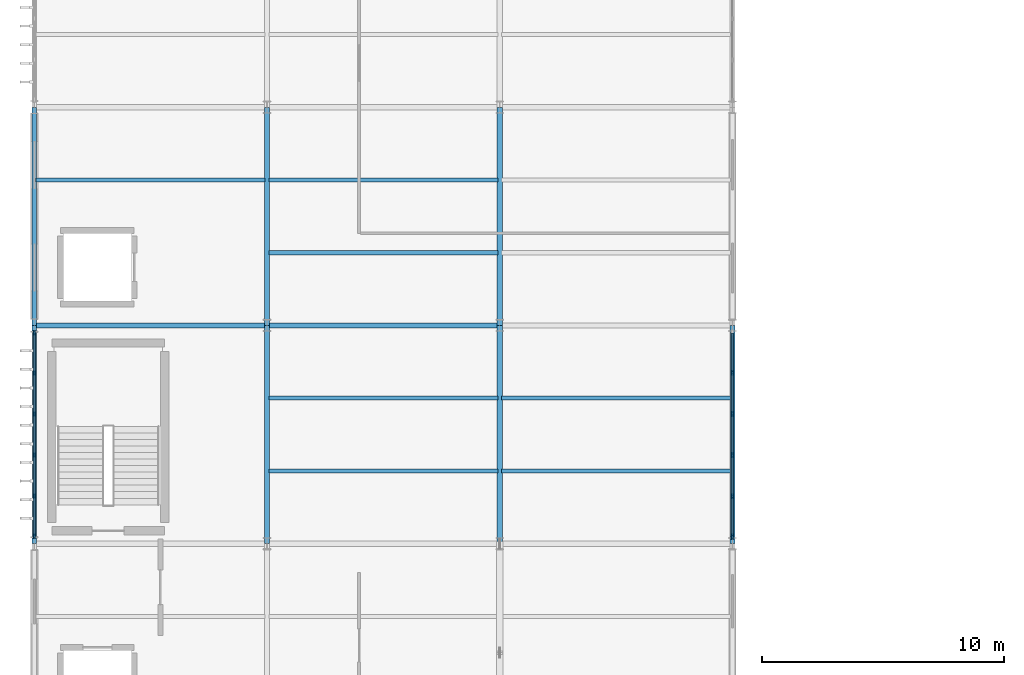
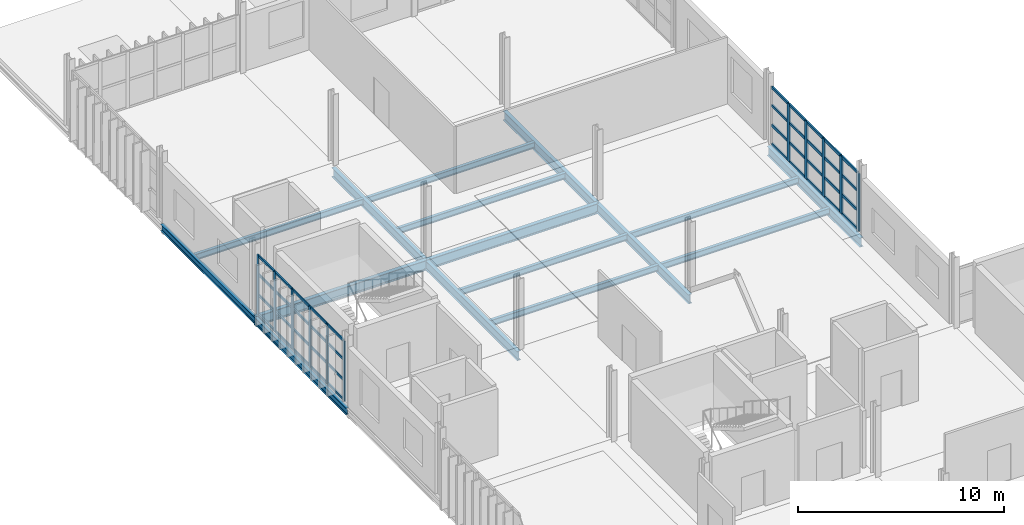
# One storey, part 11 of 52: 51 members, 16 beams, 2 elements without a shape of their own.
"""IFC4 building model written with IfcOpenShell, lengths in metres."""

from ifc_helpers import new_model, si_unit, direction, frame, origin, origin_2d, place, context, subcontext, project, spatial, rectangle, i_section, extrude, material, layer, layer_set, material_profile, profile_set, type_object, element, aggregate, save


model = new_model("IFC4")

# Units and contexts
model_context = context("Model", 3, precision=1e-05, world=origin(), true_north=direction((0.0, 1.0)))
body_context = subcontext(model_context, "Body", "Model", "MODEL_VIEW")
ifc_project = project(units=[si_unit("LENGTHUNIT", "METRE"), si_unit("AREAUNIT", "SQUARE_METRE"), si_unit("VOLUMEUNIT", "CUBIC_METRE"), si_unit("PLANEANGLEUNIT", "RADIAN"), si_unit("MASSUNIT", "GRAM", prefix="KILO")], contexts=[model_context])

# Site, building, storey
site_placement = place(None, origin())
site = spatial("IfcSite", under=ifc_project, at=site_placement, CompositionType="ELEMENT")
building_placement = place(site_placement, origin())
building = spatial("IfcBuilding", under=site, at=building_placement, Name="Zarnetskaya Central Station", CompositionType="ELEMENT")
storey_placement = place(building_placement, frame((0.0, 0.0, 14.39990234375)))
storey = spatial("IfcBuildingStorey", under=building, at=storey_placement, Name="L03", CompositionType="ELEMENT", Elevation=14.39990234375)

# Beams
ifc_material_1 = material(Name="Steel S355", Category="steel")
ifc_material_profile_1 = material_profile(ifc_material_1, i_section(OverallWidth=0.169921875, OverallDepth=0.360107421875, WebThickness=0.008056640625, FlangeThickness=0.0126953125, FilletRadius=0.01806640625, at=origin_2d()), Name="IPE 360")
ifc_profile_set_1 = profile_set([ifc_material_profile_1], Name="Steel S355")
beam_type_1 = type_object("IfcBeamType", Name="BM-SEC-360", PredefinedType="BEAM", material=ifc_profile_set_1)
beam_1_placement = place(storey_placement, frame((0.080078125, 46.199951171875, -0.429931640625), z_axis=(1.0, 0.0, 0.0), x_axis=(0.0, 1.0, 0.0)))
element("IfcBeam", 1, at=beam_1_placement, inside=storey, type_object=beam_type_1, Name="Secondary floor beam SEC-L03-Z1415-AB-67-2", PredefinedType="BEAM", context=body_context, shape_type="SweptSolid", body=[
    extrude(i_section(OverallWidth=0.169921875, OverallDepth=0.360107421875, WebThickness=0.008056640625, FlangeThickness=0.0126953125, FilletRadius=0.01806640625, at=origin_2d()), origin(), (0.0, 0.0, 1.0), 9.43994140625),
])
for number, where, z_axis, x_axis, name in (
    (2, (9.679931640625, 34.199951171875, -0.429931640625), (1.0, 0.0, 0.0), (0.0, 1.0, 0.0), "Secondary floor beam SEC-L03-Z1415-BC-56-1"),
    (3, (9.679931640625, 37.199951171875, -0.429931640625), (1.0, 0.0, 0.0), (0.0, 1.0, 0.0), "Secondary floor beam SEC-L03-Z1415-BC-56-2"),
    (4, (9.679931640625, 43.199951171875, -0.429931640625), (1.0, 0.0, 0.0), (0.0, 1.0, 0.0), "Secondary floor beam SEC-L03-Z1415-BC-67-1"),
    (5, (9.679931640625, 46.199951171875, -0.429931640625), (1.0, 0.0, 0.0), (0.0, 1.0, 0.0), "Secondary floor beam SEC-L03-Z1415-BC-67-2"),
):
    element("IfcBeam", number, at=place(storey_placement, frame(where, z_axis=z_axis, x_axis=x_axis)), inside=storey, type_object=beam_type_1, Name=name, PredefinedType="BEAM", context=body_context, shape_type="SweptSolid", body=[
        extrude(i_section(OverallWidth=0.169921875, OverallDepth=0.360107421875, WebThickness=0.008056640625, FlangeThickness=0.0126953125, FilletRadius=0.01806640625, at=origin_2d()), origin(), (0.0, 0.0, 1.0), 9.440185546875),
    ])
for number, where, z_axis, x_axis, name in (
    (6, (19.280029296875, 34.199951171875, -0.429931640625), (1.0, 0.0, 0.0), (0.0, 1.0, 0.0), "Secondary floor beam SEC-L03-Z1415-CD-56-1"),
    (7, (19.280029296875, 37.199951171875, -0.429931640625), (1.0, 0.0, 0.0), (0.0, 1.0, 0.0), "Secondary floor beam SEC-L03-Z1415-CD-56-2"),
):
    element("IfcBeam", number, at=place(storey_placement, frame(where, z_axis=z_axis, x_axis=x_axis)), inside=storey, type_object=beam_type_1, Name=name, PredefinedType="BEAM", context=body_context, shape_type="SweptSolid", body=[
        extrude(i_section(OverallWidth=0.169921875, OverallDepth=0.360107421875, WebThickness=0.008056640625, FlangeThickness=0.0126953125, FilletRadius=0.01806640625, at=origin_2d()), origin(), (0.0, 0.0, 1.0), 9.43994140625),
    ])
ifc_material_profile_2 = material_profile(ifc_material_1, i_section(OverallWidth=0.179931640625, OverallDepth=0.39990234375, WebThickness=0.008544921875, FlangeThickness=0.013427734375, FilletRadius=0.02099609375, at=origin_2d()), Name="IPE 400")
ifc_profile_set_2 = profile_set([ifc_material_profile_2], Name="Steel S355")
beam_type_2 = type_object("IfcBeamType", Name="BM-SPN-V5", PredefinedType="SPANDREL", material=ifc_profile_set_2)
for number, where, z_axis, x_axis, name in (
    (8, (0.0, 31.199951171875, -0.449951171875), (0.0, 1.0, 0.0), (-1.0, 0.0, 0.0), "Grid girder GY-L03-A-56"),
    (9, (0.0, 40.199951171875, -0.449951171875), (0.0, 1.0, 0.0), (-1.0, 0.0, 0.0), "Grid girder GY-L03-A-67"),
):
    element("IfcBeam", number, at=place(storey_placement, frame(where, z_axis=z_axis, x_axis=x_axis)), inside=storey, type_object=beam_type_2, Name=name, PredefinedType="SPANDREL", context=body_context, shape_type="SweptSolid", body=[
        extrude(i_section(OverallWidth=0.179931640625, OverallDepth=0.39990234375, WebThickness=0.008544921875, FlangeThickness=0.013427734375, FilletRadius=0.02099609375, at=origin_2d()), origin(), (0.0, 0.0, 1.0), 9.0),
    ])

# Curtain wall, members
ifc_material_2 = material(Name="Low-E insulated glass", Category="glass")
ifc_layer_1 = layer(ifc_material_2, 0.172119140625, Name="Low-E insulated glass", Category="glass")
ifc_layer_set_1 = layer_set([ifc_layer_1], Name="Low-E insulated glass")
curtain_wall_type_1 = type_object("IfcCurtainWallType", Name="CW-SYS-09", PredefinedType="USERDEFINED", material=ifc_layer_set_1)
curtain_wall_1_placement = place(storey_placement, origin())
curtain_wall_1 = element("IfcCurtainWall", 10, at=curtain_wall_1_placement, inside=storey, type_object=curtain_wall_type_1, Name="Curtain wall CW-L03-033", ObjectType="CURTAIN WALL", PredefinedType="USERDEFINED")
ifc_material_3 = material(Name="Anodised aluminium", Category="aluminium")
ifc_material_profile_3 = material_profile(ifc_material_3, rectangle(XDim=0.070068359375, YDim=0.179931640625, at=origin_2d()), Name="ALU MULL 70x180")
ifc_profile_set_3 = profile_set([ifc_material_profile_3], Name="Anodised aluminium")
member_type_1 = type_object("IfcMemberType", Name="CW-MULL-180", PredefinedType="MULLION", material=ifc_profile_set_3)
member_1_placement = place(storey_placement, frame((0.0, 31.510009765625, 0.0), z_axis=(0.0, 0.0, 1.0), x_axis=(-1.0, 0.0, 0.0)))
member_1 = element("IfcMember", 11, at=member_1_placement, type_object=member_type_1, Name="CW-07 mullion 1", PredefinedType="MULLION", context=body_context, shape_type="SweptSolid", body=[
    extrude(rectangle(XDim=0.070068359375, YDim=0.179931640625, at=origin_2d()), origin(), (0.0, 0.0, 1.0), 3.56005859375),
])
member_2_placement = place(storey_placement, frame((0.0, 33.1650390625, 0.0), z_axis=(0.0, 0.0, 1.0), x_axis=(-1.0, 0.0, 0.0)))
member_2 = element("IfcMember", 12, at=member_2_placement, type_object=member_type_1, Name="CW-07 mullion 2", PredefinedType="MULLION", context=body_context, shape_type="SweptSolid", body=[
    extrude(rectangle(XDim=0.070068359375, YDim=0.179931640625, at=origin_2d()), origin(), (0.0, 0.0, 1.0), 3.56005859375),
])
member_3_placement = place(storey_placement, frame((0.0, 34.85498046875, 0.0), z_axis=(0.0, 0.0, 1.0), x_axis=(-1.0, 0.0, 0.0)))
member_3 = element("IfcMember", 13, at=member_3_placement, type_object=member_type_1, Name="CW-07 mullion 3", PredefinedType="MULLION", context=body_context, shape_type="SweptSolid", body=[
    extrude(rectangle(XDim=0.070068359375, YDim=0.179931640625, at=origin_2d()), origin(), (0.0, 0.0, 1.0), 3.56005859375),
])
member_4_placement = place(storey_placement, frame((0.0, 36.544921875, 0.0), z_axis=(0.0, 0.0, 1.0), x_axis=(-1.0, 0.0, 0.0)))
member_4 = element("IfcMember", 14, at=member_4_placement, type_object=member_type_1, Name="CW-07 mullion 4", PredefinedType="MULLION", context=body_context, shape_type="SweptSolid", body=[
    extrude(rectangle(XDim=0.070068359375, YDim=0.179931640625, at=origin_2d()), origin(), (0.0, 0.0, 1.0), 3.56005859375),
])
member_5_placement = place(storey_placement, frame((0.0, 38.235107421875, 0.0), z_axis=(0.0, 0.0, 1.0), x_axis=(-1.0, 0.0, 0.0)))
member_5 = element("IfcMember", 15, at=member_5_placement, type_object=member_type_1, Name="CW-07 mullion 5", PredefinedType="MULLION", context=body_context, shape_type="SweptSolid", body=[
    extrude(rectangle(XDim=0.070068359375, YDim=0.179931640625, at=origin_2d()), origin(), (0.0, 0.0, 1.0), 3.56005859375),
])
member_6_placement = place(storey_placement, frame((0.0, 39.889892578125, 0.0), z_axis=(0.0, 0.0, 1.0), x_axis=(-1.0, 0.0, 0.0)))
member_6 = element("IfcMember", 16, at=member_6_placement, type_object=member_type_1, Name="CW-07 mullion 6", PredefinedType="MULLION", context=body_context, shape_type="SweptSolid", body=[
    extrude(rectangle(XDim=0.070068359375, YDim=0.179931640625, at=origin_2d()), origin(), (0.0, 0.0, 1.0), 3.56005859375),
])

ifc_layer_2 = layer(ifc_material_2, 0.1640625, Name="Low-E insulated glass", Category="glass")
ifc_layer_set_2 = layer_set([ifc_layer_2], Name="Low-E insulated glass")
curtain_wall_type_2 = type_object("IfcCurtainWallType", Name="CW-SYS-07", PredefinedType="USERDEFINED", material=ifc_layer_set_2)
curtain_wall_2_placement = place(storey_placement, origin())
curtain_wall_2 = element("IfcCurtainWall", 17, at=curtain_wall_2_placement, inside=storey, type_object=curtain_wall_type_2, Name="Curtain wall CW-L03-038", ObjectType="CURTAIN WALL", PredefinedType="USERDEFINED")
ifc_material_profile_4 = material_profile(ifc_material_3, rectangle(XDim=0.080078125, YDim=0.219970703125, at=origin_2d()), Name="ALU MULL 80x220")
ifc_profile_set_4 = profile_set([ifc_material_profile_4], Name="Anodised aluminium")
member_type_2 = type_object("IfcMemberType", Name="CW-MULL-220", PredefinedType="MULLION", material=ifc_profile_set_4)
member_7_placement = place(storey_placement, frame((28.800048828125, 38.25, 0.0), z_axis=(0.0, 0.0, 1.0), x_axis=(1.0, 0.0, 0.0)))
member_7 = element("IfcMember", 18, at=member_7_placement, type_object=member_type_2, Name="CW-06 mullion 2", PredefinedType="MULLION", context=body_context, shape_type="SweptSolid", body=[
    extrude(rectangle(XDim=0.080078125, YDim=0.219970703125, at=origin_2d()), origin(), (0.0, 0.0, 1.0), 3.43017578125),
])
member_8_placement = place(storey_placement, frame((28.800048828125, 36.550048828125, 0.0), z_axis=(0.0, 0.0, 1.0), x_axis=(1.0, 0.0, 0.0)))
member_8 = element("IfcMember", 19, at=member_8_placement, type_object=member_type_2, Name="CW-06 mullion 3", PredefinedType="MULLION", context=body_context, shape_type="SweptSolid", body=[
    extrude(rectangle(XDim=0.080078125, YDim=0.219970703125, at=origin_2d()), origin(), (0.0, 0.0, 1.0), 3.43017578125),
])
member_9_placement = place(storey_placement, frame((28.800048828125, 34.85009765625, 0.0), z_axis=(0.0, 0.0, 1.0), x_axis=(1.0, 0.0, 0.0)))
member_9 = element("IfcMember", 20, at=member_9_placement, type_object=member_type_2, Name="CW-06 mullion 4", PredefinedType="MULLION", context=body_context, shape_type="SweptSolid", body=[
    extrude(rectangle(XDim=0.080078125, YDim=0.219970703125, at=origin_2d()), origin(), (0.0, 0.0, 1.0), 3.43017578125),
])
member_10_placement = place(storey_placement, frame((28.800048828125, 33.14990234375, 0.0), z_axis=(0.0, 0.0, 1.0), x_axis=(1.0, 0.0, 0.0)))
member_10 = element("IfcMember", 21, at=member_10_placement, type_object=member_type_2, Name="CW-06 mullion 5", PredefinedType="MULLION", context=body_context, shape_type="SweptSolid", body=[
    extrude(rectangle(XDim=0.080078125, YDim=0.219970703125, at=origin_2d()), origin(), (0.0, 0.0, 1.0), 3.43017578125),
])
member_11_placement = place(storey_placement, frame((28.800048828125, 31.489990234375, 0.0), z_axis=(0.0, 0.0, 1.0), x_axis=(1.0, 0.0, 0.0)))
member_11 = element("IfcMember", 22, at=member_11_placement, type_object=member_type_2, Name="CW-06 mullion 6", PredefinedType="MULLION", context=body_context, shape_type="SweptSolid", body=[
    extrude(rectangle(XDim=0.080078125, YDim=0.219970703125, at=origin_2d()), origin(), (0.0, 0.0, 1.0), 3.43017578125),
])

# Member
ifc_material_profile_5 = material_profile(ifc_material_3, rectangle(XDim=0.070068359375, YDim=0.139892578125, at=origin_2d()), Name="ALU TRAN 70x140")
ifc_profile_set_5 = profile_set([ifc_material_profile_5], Name="Anodised aluminium")
member_type_3 = type_object("IfcMemberType", Name="CW-TRAN-140", PredefinedType="USERDEFINED", material=ifc_profile_set_5)
member_12_placement = place(storey_placement, frame((0.0, 31.544921875, 0.03515625), z_axis=(0.0, 1.0, 0.0), x_axis=(-1.0, 0.0, 0.0)))
member_12 = element("IfcMember", 23, at=member_12_placement, type_object=member_type_3, Name="CW-07 transom 1.1", ObjectType="TRANSOM", PredefinedType="USERDEFINED", context=body_context, shape_type="SweptSolid", body=[
    extrude(rectangle(XDim=0.070068359375, YDim=0.139892578125, at=origin_2d()), origin(), (0.0, 0.0, 1.0), 1.5849609375),
])

member_13_placement = place(storey_placement, frame((0.0, 31.544921875, 1.210205078125), z_axis=(0.0, 1.0, 0.0), x_axis=(-1.0, 0.0, 0.0)))
member_13 = element("IfcMember", 24, at=member_13_placement, type_object=member_type_3, Name="CW-07 transom 1.2", ObjectType="TRANSOM", PredefinedType="USERDEFINED", context=body_context, shape_type="SweptSolid", body=[
    extrude(rectangle(XDim=0.070068359375, YDim=0.139892578125, at=origin_2d()), origin(), (0.0, 0.0, 1.0), 1.5849609375),
])

member_14_placement = place(storey_placement, frame((0.0, 31.544921875, 2.421142578125), z_axis=(0.0, 1.0, 0.0), x_axis=(-1.0, 0.0, 0.0)))
member_14 = element("IfcMember", 25, at=member_14_placement, type_object=member_type_3, Name="CW-07 transom 1.3", ObjectType="TRANSOM", PredefinedType="USERDEFINED", context=body_context, shape_type="SweptSolid", body=[
    extrude(rectangle(XDim=0.070068359375, YDim=0.139892578125, at=origin_2d()), origin(), (0.0, 0.0, 1.0), 1.5849609375),
])

member_15_placement = place(storey_placement, frame((0.0, 31.544921875, 3.525146484375), z_axis=(0.0, 1.0, 0.0), x_axis=(-1.0, 0.0, 0.0)))
member_15 = element("IfcMember", 26, at=member_15_placement, type_object=member_type_3, Name="CW-07 transom 1.4", ObjectType="TRANSOM", PredefinedType="USERDEFINED", context=body_context, shape_type="SweptSolid", body=[
    extrude(rectangle(XDim=0.070068359375, YDim=0.139892578125, at=origin_2d()), origin(), (0.0, 0.0, 1.0), 1.5849609375),
])

member_16_placement = place(storey_placement, frame((0.0, 33.199951171875, 0.03515625), z_axis=(0.0, 1.0, 0.0), x_axis=(-1.0, 0.0, 0.0)))
member_16 = element("IfcMember", 27, at=member_16_placement, type_object=member_type_3, Name="CW-07 transom 2.1", ObjectType="TRANSOM", PredefinedType="USERDEFINED", context=body_context, shape_type="SweptSolid", body=[
    extrude(rectangle(XDim=0.070068359375, YDim=0.139892578125, at=origin_2d()), origin(), (0.0, 0.0, 1.0), 1.6201171875),
])

member_17_placement = place(storey_placement, frame((0.0, 33.199951171875, 1.210205078125), z_axis=(0.0, 1.0, 0.0), x_axis=(-1.0, 0.0, 0.0)))
member_17 = element("IfcMember", 28, at=member_17_placement, type_object=member_type_3, Name="CW-07 transom 2.2", ObjectType="TRANSOM", PredefinedType="USERDEFINED", context=body_context, shape_type="SweptSolid", body=[
    extrude(rectangle(XDim=0.070068359375, YDim=0.139892578125, at=origin_2d()), origin(), (0.0, 0.0, 1.0), 1.6201171875),
])

member_18_placement = place(storey_placement, frame((0.0, 33.199951171875, 2.421142578125), z_axis=(0.0, 1.0, 0.0), x_axis=(-1.0, 0.0, 0.0)))
member_18 = element("IfcMember", 29, at=member_18_placement, type_object=member_type_3, Name="CW-07 transom 2.3", ObjectType="TRANSOM", PredefinedType="USERDEFINED", context=body_context, shape_type="SweptSolid", body=[
    extrude(rectangle(XDim=0.070068359375, YDim=0.139892578125, at=origin_2d()), origin(), (0.0, 0.0, 1.0), 1.6201171875),
])

member_19_placement = place(storey_placement, frame((0.0, 33.199951171875, 3.525146484375), z_axis=(0.0, 1.0, 0.0), x_axis=(-1.0, 0.0, 0.0)))
member_19 = element("IfcMember", 30, at=member_19_placement, type_object=member_type_3, Name="CW-07 transom 2.4", ObjectType="TRANSOM", PredefinedType="USERDEFINED", context=body_context, shape_type="SweptSolid", body=[
    extrude(rectangle(XDim=0.070068359375, YDim=0.139892578125, at=origin_2d()), origin(), (0.0, 0.0, 1.0), 1.6201171875),
])

member_20_placement = place(storey_placement, frame((0.0, 34.889892578125, 0.03515625), z_axis=(0.0, 1.0, 0.0), x_axis=(-1.0, 0.0, 0.0)))
member_20 = element("IfcMember", 31, at=member_20_placement, type_object=member_type_3, Name="CW-07 transom 3.1", ObjectType="TRANSOM", PredefinedType="USERDEFINED", context=body_context, shape_type="SweptSolid", body=[
    extrude(rectangle(XDim=0.070068359375, YDim=0.139892578125, at=origin_2d()), origin(), (0.0, 0.0, 1.0), 1.6201171875),
])

member_21_placement = place(storey_placement, frame((0.0, 34.889892578125, 1.210205078125), z_axis=(0.0, 1.0, 0.0), x_axis=(-1.0, 0.0, 0.0)))
member_21 = element("IfcMember", 32, at=member_21_placement, type_object=member_type_3, Name="CW-07 transom 3.2", ObjectType="TRANSOM", PredefinedType="USERDEFINED", context=body_context, shape_type="SweptSolid", body=[
    extrude(rectangle(XDim=0.070068359375, YDim=0.139892578125, at=origin_2d()), origin(), (0.0, 0.0, 1.0), 1.6201171875),
])

member_22_placement = place(storey_placement, frame((0.0, 34.889892578125, 2.421142578125), z_axis=(0.0, 1.0, 0.0), x_axis=(-1.0, 0.0, 0.0)))
member_22 = element("IfcMember", 33, at=member_22_placement, type_object=member_type_3, Name="CW-07 transom 3.3", ObjectType="TRANSOM", PredefinedType="USERDEFINED", context=body_context, shape_type="SweptSolid", body=[
    extrude(rectangle(XDim=0.070068359375, YDim=0.139892578125, at=origin_2d()), origin(), (0.0, 0.0, 1.0), 1.6201171875),
])

member_23_placement = place(storey_placement, frame((0.0, 34.889892578125, 3.525146484375), z_axis=(0.0, 1.0, 0.0), x_axis=(-1.0, 0.0, 0.0)))
member_23 = element("IfcMember", 34, at=member_23_placement, type_object=member_type_3, Name="CW-07 transom 3.4", ObjectType="TRANSOM", PredefinedType="USERDEFINED", context=body_context, shape_type="SweptSolid", body=[
    extrude(rectangle(XDim=0.070068359375, YDim=0.139892578125, at=origin_2d()), origin(), (0.0, 0.0, 1.0), 1.6201171875),
])

member_24_placement = place(storey_placement, frame((0.0, 36.580078125, 0.03515625), z_axis=(0.0, 1.0, 0.0), x_axis=(-1.0, 0.0, 0.0)))
member_24 = element("IfcMember", 35, at=member_24_placement, type_object=member_type_3, Name="CW-07 transom 4.1", ObjectType="TRANSOM", PredefinedType="USERDEFINED", context=body_context, shape_type="SweptSolid", body=[
    extrude(rectangle(XDim=0.070068359375, YDim=0.139892578125, at=origin_2d()), origin(), (0.0, 0.0, 1.0), 1.619873046875),
])

member_25_placement = place(storey_placement, frame((0.0, 36.580078125, 1.210205078125), z_axis=(0.0, 1.0, 0.0), x_axis=(-1.0, 0.0, 0.0)))
member_25 = element("IfcMember", 36, at=member_25_placement, type_object=member_type_3, Name="CW-07 transom 4.2", ObjectType="TRANSOM", PredefinedType="USERDEFINED", context=body_context, shape_type="SweptSolid", body=[
    extrude(rectangle(XDim=0.070068359375, YDim=0.139892578125, at=origin_2d()), origin(), (0.0, 0.0, 1.0), 1.619873046875),
])

member_26_placement = place(storey_placement, frame((0.0, 36.580078125, 2.421142578125), z_axis=(0.0, 1.0, 0.0), x_axis=(-1.0, 0.0, 0.0)))
member_26 = element("IfcMember", 37, at=member_26_placement, type_object=member_type_3, Name="CW-07 transom 4.3", ObjectType="TRANSOM", PredefinedType="USERDEFINED", context=body_context, shape_type="SweptSolid", body=[
    extrude(rectangle(XDim=0.070068359375, YDim=0.139892578125, at=origin_2d()), origin(), (0.0, 0.0, 1.0), 1.619873046875),
])

member_27_placement = place(storey_placement, frame((0.0, 36.580078125, 3.525146484375), z_axis=(0.0, 1.0, 0.0), x_axis=(-1.0, 0.0, 0.0)))
member_27 = element("IfcMember", 38, at=member_27_placement, type_object=member_type_3, Name="CW-07 transom 4.4", ObjectType="TRANSOM", PredefinedType="USERDEFINED", context=body_context, shape_type="SweptSolid", body=[
    extrude(rectangle(XDim=0.070068359375, YDim=0.139892578125, at=origin_2d()), origin(), (0.0, 0.0, 1.0), 1.619873046875),
])

member_28_placement = place(storey_placement, frame((0.0, 38.27001953125, 0.03515625), z_axis=(0.0, 1.0, 0.0), x_axis=(-1.0, 0.0, 0.0)))
member_28 = element("IfcMember", 39, at=member_28_placement, type_object=member_type_3, Name="CW-07 transom 5.1", ObjectType="TRANSOM", PredefinedType="USERDEFINED", context=body_context, shape_type="SweptSolid", body=[
    extrude(rectangle(XDim=0.070068359375, YDim=0.139892578125, at=origin_2d()), origin(), (0.0, 0.0, 1.0), 1.5849609375),
])

member_29_placement = place(storey_placement, frame((0.0, 38.27001953125, 1.210205078125), z_axis=(0.0, 1.0, 0.0), x_axis=(-1.0, 0.0, 0.0)))
member_29 = element("IfcMember", 40, at=member_29_placement, type_object=member_type_3, Name="CW-07 transom 5.2", ObjectType="TRANSOM", PredefinedType="USERDEFINED", context=body_context, shape_type="SweptSolid", body=[
    extrude(rectangle(XDim=0.070068359375, YDim=0.139892578125, at=origin_2d()), origin(), (0.0, 0.0, 1.0), 1.5849609375),
])

member_30_placement = place(storey_placement, frame((0.0, 38.27001953125, 2.421142578125), z_axis=(0.0, 1.0, 0.0), x_axis=(-1.0, 0.0, 0.0)))
member_30 = element("IfcMember", 41, at=member_30_placement, type_object=member_type_3, Name="CW-07 transom 5.3", ObjectType="TRANSOM", PredefinedType="USERDEFINED", context=body_context, shape_type="SweptSolid", body=[
    extrude(rectangle(XDim=0.070068359375, YDim=0.139892578125, at=origin_2d()), origin(), (0.0, 0.0, 1.0), 1.5849609375),
])

member_31_placement = place(storey_placement, frame((0.0, 38.27001953125, 3.525146484375), z_axis=(0.0, 1.0, 0.0), x_axis=(-1.0, 0.0, 0.0)))
member_31 = element("IfcMember", 42, at=member_31_placement, type_object=member_type_3, Name="CW-07 transom 5.4", ObjectType="TRANSOM", PredefinedType="USERDEFINED", context=body_context, shape_type="SweptSolid", body=[
    extrude(rectangle(XDim=0.070068359375, YDim=0.139892578125, at=origin_2d()), origin(), (0.0, 0.0, 1.0), 1.5849609375),
])

aggregate(curtain_wall_1, [member_1, member_2, member_3, member_4, member_5, member_6, member_12, member_13, member_14, member_15, member_16, member_17, member_18, member_19, member_20, member_21, member_22, member_23, member_24, member_25, member_26, member_27, member_28, member_29, member_30, member_31])

ifc_material_profile_6 = material_profile(ifc_material_3, rectangle(XDim=0.080078125, YDim=0.159912109375, at=origin_2d()), Name="ALU TRAN 80x160")
ifc_profile_set_6 = profile_set([ifc_material_profile_6], Name="Anodised aluminium")
member_type_4 = type_object("IfcMemberType", Name="CW-TRAN-160", PredefinedType="USERDEFINED", material=ifc_profile_set_6)
member_32_placement = place(storey_placement, frame((28.800048828125, 39.8701171875, 0.0400390625), z_axis=(0.0, -1.0, 0.0), x_axis=(1.0, 0.0, 0.0)))
member_32 = element("IfcMember", 43, at=member_32_placement, type_object=member_type_4, Name="CW-06 transom 1.1", ObjectType="TRANSOM", PredefinedType="USERDEFINED", context=body_context, shape_type="SweptSolid", body=[
    extrude(rectangle(XDim=0.080078125, YDim=0.159912109375, at=origin_2d()), origin(), (0.0, 0.0, 1.0), 1.580078125),
])

member_33_placement = place(storey_placement, frame((28.800048828125, 39.8701171875, 1.166015625), z_axis=(0.0, -1.0, 0.0), x_axis=(1.0, 0.0, 0.0)))
member_33 = element("IfcMember", 44, at=member_33_placement, type_object=member_type_4, Name="CW-06 transom 1.2", ObjectType="TRANSOM", PredefinedType="USERDEFINED", context=body_context, shape_type="SweptSolid", body=[
    extrude(rectangle(XDim=0.080078125, YDim=0.159912109375, at=origin_2d()), origin(), (0.0, 0.0, 1.0), 1.580078125),
])

member_34_placement = place(storey_placement, frame((28.800048828125, 39.8701171875, 2.33203125), z_axis=(0.0, -1.0, 0.0), x_axis=(1.0, 0.0, 0.0)))
member_34 = element("IfcMember", 45, at=member_34_placement, type_object=member_type_4, Name="CW-06 transom 1.3", ObjectType="TRANSOM", PredefinedType="USERDEFINED", context=body_context, shape_type="SweptSolid", body=[
    extrude(rectangle(XDim=0.080078125, YDim=0.159912109375, at=origin_2d()), origin(), (0.0, 0.0, 1.0), 1.580078125),
])

member_35_placement = place(storey_placement, frame((28.800048828125, 39.8701171875, 3.39013671875), z_axis=(0.0, -1.0, 0.0), x_axis=(1.0, 0.0, 0.0)))
member_35 = element("IfcMember", 46, at=member_35_placement, type_object=member_type_4, Name="CW-06 transom 1.4", ObjectType="TRANSOM", PredefinedType="USERDEFINED", context=body_context, shape_type="SweptSolid", body=[
    extrude(rectangle(XDim=0.080078125, YDim=0.159912109375, at=origin_2d()), origin(), (0.0, 0.0, 1.0), 1.580078125),
])

member_36_placement = place(storey_placement, frame((28.800048828125, 38.2099609375, 0.0400390625), z_axis=(0.0, -1.0, 0.0), x_axis=(1.0, 0.0, 0.0)))
member_36 = element("IfcMember", 47, at=member_36_placement, type_object=member_type_4, Name="CW-06 transom 2.1", ObjectType="TRANSOM", PredefinedType="USERDEFINED", context=body_context, shape_type="SweptSolid", body=[
    extrude(rectangle(XDim=0.080078125, YDim=0.159912109375, at=origin_2d()), origin(), (0.0, 0.0, 1.0), 1.619873046875),
])

member_37_placement = place(storey_placement, frame((28.800048828125, 38.2099609375, 1.166015625), z_axis=(0.0, -1.0, 0.0), x_axis=(1.0, 0.0, 0.0)))
member_37 = element("IfcMember", 48, at=member_37_placement, type_object=member_type_4, Name="CW-06 transom 2.2", ObjectType="TRANSOM", PredefinedType="USERDEFINED", context=body_context, shape_type="SweptSolid", body=[
    extrude(rectangle(XDim=0.080078125, YDim=0.159912109375, at=origin_2d()), origin(), (0.0, 0.0, 1.0), 1.619873046875),
])

member_38_placement = place(storey_placement, frame((28.800048828125, 38.2099609375, 2.33203125), z_axis=(0.0, -1.0, 0.0), x_axis=(1.0, 0.0, 0.0)))
member_38 = element("IfcMember", 49, at=member_38_placement, type_object=member_type_4, Name="CW-06 transom 2.3", ObjectType="TRANSOM", PredefinedType="USERDEFINED", context=body_context, shape_type="SweptSolid", body=[
    extrude(rectangle(XDim=0.080078125, YDim=0.159912109375, at=origin_2d()), origin(), (0.0, 0.0, 1.0), 1.619873046875),
])

member_39_placement = place(storey_placement, frame((28.800048828125, 38.2099609375, 3.39013671875), z_axis=(0.0, -1.0, 0.0), x_axis=(1.0, 0.0, 0.0)))
member_39 = element("IfcMember", 50, at=member_39_placement, type_object=member_type_4, Name="CW-06 transom 2.4", ObjectType="TRANSOM", PredefinedType="USERDEFINED", context=body_context, shape_type="SweptSolid", body=[
    extrude(rectangle(XDim=0.080078125, YDim=0.159912109375, at=origin_2d()), origin(), (0.0, 0.0, 1.0), 1.619873046875),
])

member_40_placement = place(storey_placement, frame((28.800048828125, 36.510009765625, 0.0400390625), z_axis=(0.0, -1.0, 0.0), x_axis=(1.0, 0.0, 0.0)))
member_40 = element("IfcMember", 51, at=member_40_placement, type_object=member_type_4, Name="CW-06 transom 3.1", ObjectType="TRANSOM", PredefinedType="USERDEFINED", context=body_context, shape_type="SweptSolid", body=[
    extrude(rectangle(XDim=0.080078125, YDim=0.159912109375, at=origin_2d()), origin(), (0.0, 0.0, 1.0), 1.6201171875),
])

member_41_placement = place(storey_placement, frame((28.800048828125, 36.510009765625, 1.166015625), z_axis=(0.0, -1.0, 0.0), x_axis=(1.0, 0.0, 0.0)))
member_41 = element("IfcMember", 52, at=member_41_placement, type_object=member_type_4, Name="CW-06 transom 3.2", ObjectType="TRANSOM", PredefinedType="USERDEFINED", context=body_context, shape_type="SweptSolid", body=[
    extrude(rectangle(XDim=0.080078125, YDim=0.159912109375, at=origin_2d()), origin(), (0.0, 0.0, 1.0), 1.6201171875),
])

member_42_placement = place(storey_placement, frame((28.800048828125, 36.510009765625, 2.33203125), z_axis=(0.0, -1.0, 0.0), x_axis=(1.0, 0.0, 0.0)))
member_42 = element("IfcMember", 53, at=member_42_placement, type_object=member_type_4, Name="CW-06 transom 3.3", ObjectType="TRANSOM", PredefinedType="USERDEFINED", context=body_context, shape_type="SweptSolid", body=[
    extrude(rectangle(XDim=0.080078125, YDim=0.159912109375, at=origin_2d()), origin(), (0.0, 0.0, 1.0), 1.6201171875),
])

member_43_placement = place(storey_placement, frame((28.800048828125, 36.510009765625, 3.39013671875), z_axis=(0.0, -1.0, 0.0), x_axis=(1.0, 0.0, 0.0)))
member_43 = element("IfcMember", 54, at=member_43_placement, type_object=member_type_4, Name="CW-06 transom 3.4", ObjectType="TRANSOM", PredefinedType="USERDEFINED", context=body_context, shape_type="SweptSolid", body=[
    extrude(rectangle(XDim=0.080078125, YDim=0.159912109375, at=origin_2d()), origin(), (0.0, 0.0, 1.0), 1.6201171875),
])

member_44_placement = place(storey_placement, frame((28.800048828125, 34.81005859375, 0.0400390625), z_axis=(0.0, -1.0, 0.0), x_axis=(1.0, 0.0, 0.0)))
member_44 = element("IfcMember", 55, at=member_44_placement, type_object=member_type_4, Name="CW-06 transom 4.1", ObjectType="TRANSOM", PredefinedType="USERDEFINED", context=body_context, shape_type="SweptSolid", body=[
    extrude(rectangle(XDim=0.080078125, YDim=0.159912109375, at=origin_2d()), origin(), (0.0, 0.0, 1.0), 1.6201171875),
])

member_45_placement = place(storey_placement, frame((28.800048828125, 34.81005859375, 1.166015625), z_axis=(0.0, -1.0, 0.0), x_axis=(1.0, 0.0, 0.0)))
member_45 = element("IfcMember", 56, at=member_45_placement, type_object=member_type_4, Name="CW-06 transom 4.2", ObjectType="TRANSOM", PredefinedType="USERDEFINED", context=body_context, shape_type="SweptSolid", body=[
    extrude(rectangle(XDim=0.080078125, YDim=0.159912109375, at=origin_2d()), origin(), (0.0, 0.0, 1.0), 1.6201171875),
])

member_46_placement = place(storey_placement, frame((28.800048828125, 34.81005859375, 2.33203125), z_axis=(0.0, -1.0, 0.0), x_axis=(1.0, 0.0, 0.0)))
member_46 = element("IfcMember", 57, at=member_46_placement, type_object=member_type_4, Name="CW-06 transom 4.3", ObjectType="TRANSOM", PredefinedType="USERDEFINED", context=body_context, shape_type="SweptSolid", body=[
    extrude(rectangle(XDim=0.080078125, YDim=0.159912109375, at=origin_2d()), origin(), (0.0, 0.0, 1.0), 1.6201171875),
])

member_47_placement = place(storey_placement, frame((28.800048828125, 34.81005859375, 3.39013671875), z_axis=(0.0, -1.0, 0.0), x_axis=(1.0, 0.0, 0.0)))
member_47 = element("IfcMember", 58, at=member_47_placement, type_object=member_type_4, Name="CW-06 transom 4.4", ObjectType="TRANSOM", PredefinedType="USERDEFINED", context=body_context, shape_type="SweptSolid", body=[
    extrude(rectangle(XDim=0.080078125, YDim=0.159912109375, at=origin_2d()), origin(), (0.0, 0.0, 1.0), 1.6201171875),
])

member_48_placement = place(storey_placement, frame((28.800048828125, 33.110107421875, 0.0400390625), z_axis=(0.0, -1.0, 0.0), x_axis=(1.0, 0.0, 0.0)))
member_48 = element("IfcMember", 59, at=member_48_placement, type_object=member_type_4, Name="CW-06 transom 5.1", ObjectType="TRANSOM", PredefinedType="USERDEFINED", context=body_context, shape_type="SweptSolid", body=[
    extrude(rectangle(XDim=0.080078125, YDim=0.159912109375, at=origin_2d()), origin(), (0.0, 0.0, 1.0), 1.580078125),
])

member_49_placement = place(storey_placement, frame((28.800048828125, 33.110107421875, 1.166015625), z_axis=(0.0, -1.0, 0.0), x_axis=(1.0, 0.0, 0.0)))
member_49 = element("IfcMember", 60, at=member_49_placement, type_object=member_type_4, Name="CW-06 transom 5.2", ObjectType="TRANSOM", PredefinedType="USERDEFINED", context=body_context, shape_type="SweptSolid", body=[
    extrude(rectangle(XDim=0.080078125, YDim=0.159912109375, at=origin_2d()), origin(), (0.0, 0.0, 1.0), 1.580078125),
])

member_50_placement = place(storey_placement, frame((28.800048828125, 33.110107421875, 2.33203125), z_axis=(0.0, -1.0, 0.0), x_axis=(1.0, 0.0, 0.0)))
member_50 = element("IfcMember", 61, at=member_50_placement, type_object=member_type_4, Name="CW-06 transom 5.3", ObjectType="TRANSOM", PredefinedType="USERDEFINED", context=body_context, shape_type="SweptSolid", body=[
    extrude(rectangle(XDim=0.080078125, YDim=0.159912109375, at=origin_2d()), origin(), (0.0, 0.0, 1.0), 1.580078125),
])

member_51_placement = place(storey_placement, frame((28.800048828125, 33.110107421875, 3.39013671875), z_axis=(0.0, -1.0, 0.0), x_axis=(1.0, 0.0, 0.0)))
member_51 = element("IfcMember", 62, at=member_51_placement, type_object=member_type_4, Name="CW-06 transom 5.4", ObjectType="TRANSOM", PredefinedType="USERDEFINED", context=body_context, shape_type="SweptSolid", body=[
    extrude(rectangle(XDim=0.080078125, YDim=0.159912109375, at=origin_2d()), origin(), (0.0, 0.0, 1.0), 1.580078125),
])

aggregate(curtain_wall_2, [member_7, member_8, member_9, member_10, member_11, member_32, member_33, member_34, member_35, member_36, member_37, member_38, member_39, member_40, member_41, member_42, member_43, member_44, member_45, member_46, member_47, member_48, member_49, member_50, member_51])

# Beams
ifc_material_profile_7 = material_profile(ifc_material_1, i_section(OverallWidth=0.2099609375, OverallDepth=0.550048828125, WebThickness=0.010986328125, FlangeThickness=0.01708984375, FilletRadius=0.02392578125, at=origin_2d()), Name="IPE 550")
ifc_profile_set_7 = profile_set([ifc_material_profile_7], Name="Steel S355")
beam_type_3 = type_object("IfcBeamType", Name="GD-FLR-550", PredefinedType="USERDEFINED", material=ifc_profile_set_7)
for number, where, z_axis, x_axis, name in (
    (63, (9.60009765625, 31.199951171875, -0.52490234375), (0.0, 1.0, 0.0), (-1.0, 0.0, 0.0), "Grid girder GY-L03-B-56"),
    (64, (9.60009765625, 40.199951171875, -0.52490234375), (0.0, 1.0, 0.0), (-1.0, 0.0, 0.0), "Grid girder GY-L03-B-67"),
    (65, (19.199951171875, 31.199951171875, -0.52490234375), (0.0, 1.0, 0.0), (-1.0, 0.0, 0.0), "Grid girder GY-L03-C-56"),
    (66, (19.199951171875, 40.199951171875, -0.52490234375), (0.0, 1.0, 0.0), (-1.0, 0.0, 0.0), "Grid girder GY-L03-C-67"),
    (67, (28.800048828125, 31.199951171875, -0.52490234375), (0.0, 1.0, 0.0), (-1.0, 0.0, 0.0), "Grid girder GY-L03-D-56"),
):
    element("IfcBeam", number, at=place(storey_placement, frame(where, z_axis=z_axis, x_axis=x_axis)), inside=storey, type_object=beam_type_3, Name=name, ObjectType="GIRDER", PredefinedType="USERDEFINED", context=body_context, shape_type="SweptSolid", body=[
        extrude(i_section(OverallWidth=0.2099609375, OverallDepth=0.550048828125, WebThickness=0.010986328125, FlangeThickness=0.01708984375, FilletRadius=0.02392578125, at=origin_2d()), origin(), (0.0, 0.0, 1.0), 9.0),
    ])
ifc_material_profile_8 = material_profile(ifc_material_1, i_section(OverallWidth=0.219970703125, OverallDepth=0.60009765625, WebThickness=0.011962890625, FlangeThickness=0.01904296875, FilletRadius=0.02392578125, at=origin_2d()), Name="IPE 600")
ifc_profile_set_8 = profile_set([ifc_material_profile_8], Name="Steel S355")
beam_type_4 = type_object("IfcBeamType", Name="GD-FLR-600", PredefinedType="USERDEFINED", material=ifc_profile_set_8)
beam_2_placement = place(storey_placement, frame((0.0, 40.199951171875, -0.5498046875), z_axis=(1.0, 0.0, 0.0), x_axis=(0.0, 1.0, 0.0)))
element("IfcBeam", 68, at=beam_2_placement, inside=storey, type_object=beam_type_4, Name="Grid girder GX-L03-6-AB", ObjectType="GIRDER", PredefinedType="USERDEFINED", context=body_context, shape_type="SweptSolid", body=[
    extrude(i_section(OverallWidth=0.219970703125, OverallDepth=0.60009765625, WebThickness=0.011962890625, FlangeThickness=0.01904296875, FilletRadius=0.02392578125, at=origin_2d()), origin(), (0.0, 0.0, 1.0), 9.60009765625),
])
beam_3_placement = place(storey_placement, frame((9.60009765625, 40.199951171875, -0.5498046875), z_axis=(1.0, 0.0, 0.0), x_axis=(0.0, 1.0, 0.0)))
element("IfcBeam", 69, at=beam_3_placement, inside=storey, type_object=beam_type_4, Name="Grid girder GX-L03-6-BC", ObjectType="GIRDER", PredefinedType="USERDEFINED", context=body_context, shape_type="SweptSolid", body=[
    extrude(i_section(OverallWidth=0.219970703125, OverallDepth=0.60009765625, WebThickness=0.011962890625, FlangeThickness=0.01904296875, FilletRadius=0.02392578125, at=origin_2d()), origin(), (0.0, 0.0, 1.0), 9.599853515625),
])

save(model, "model.ifc")
